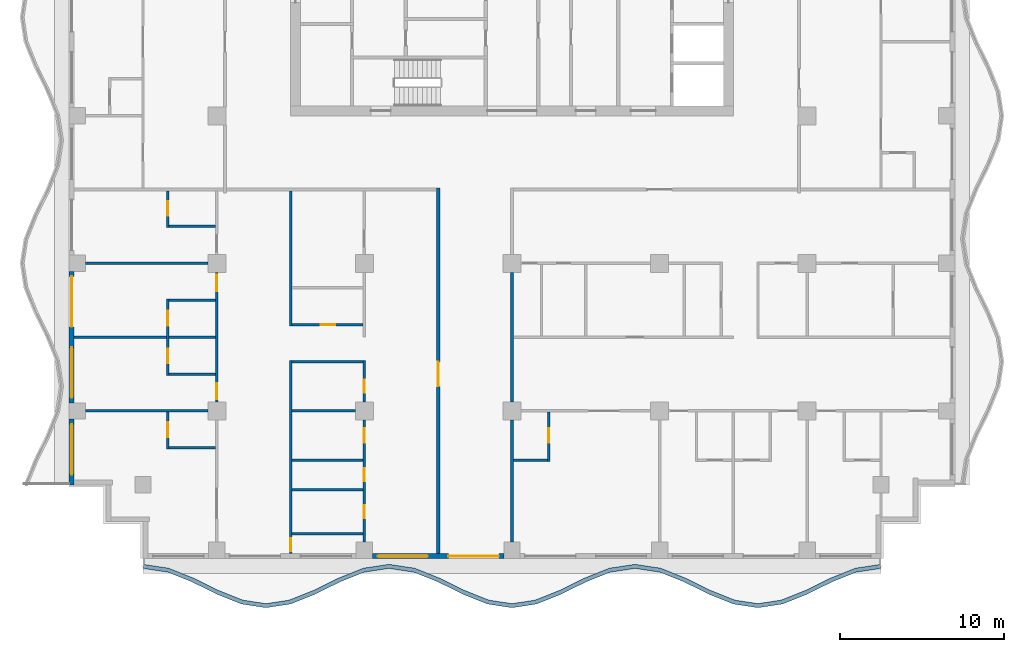
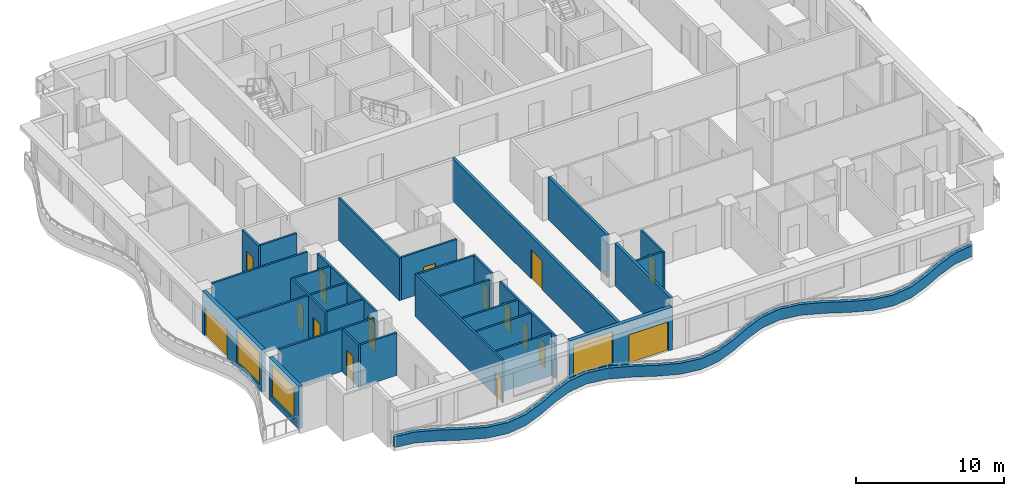
# One storey, part 2 of 12: 31 walls, 16 doors, 3 windows, 19 openings.
"""IFC4 building model written with IfcOpenShell, lengths in metres."""

from ifc_helpers import new_model, si_unit, direction, frame, frame_2d, origin, place, context, subcontext, project, spatial, polyline, rectangle, outline, extrude, material, layer, layer_set, type_object, element, fill, save


model = new_model("IFC4")

# Units and contexts
model_context = context("Model", 3, precision=1e-05, world=origin(), true_north=direction((0.0, 1.0)))
body_context = subcontext(model_context, "Body", "Model", "MODEL_VIEW")
ifc_project = project(units=[si_unit("LENGTHUNIT", "METRE"), si_unit("AREAUNIT", "SQUARE_METRE"), si_unit("VOLUMEUNIT", "CUBIC_METRE"), si_unit("PLANEANGLEUNIT", "RADIAN"), si_unit("MASSUNIT", "GRAM", prefix="KILO")], contexts=[model_context])

# Site, building, storey
site_placement = place(None, origin())
site = spatial("IfcSite", under=ifc_project, at=site_placement, CompositionType="ELEMENT")
building_placement = place(site_placement, origin())
building = spatial("IfcBuilding", under=site, at=building_placement, Name="Orbiselva Terraces", CompositionType="ELEMENT")
storey_placement = place(building_placement, frame((0.0, 0.0, 203.4)))
storey = spatial("IfcBuildingStorey", under=building, at=storey_placement, Name="L51", CompositionType="ELEMENT", Elevation=203.4)

# Wall
ifc_material_1 = material(Name="Concrete C40/50", Category="concrete")
ifc_layer_1 = layer(ifc_material_1, 0.25)
ifc_layer_set_1 = layer_set([ifc_layer_1], Name="Concrete C40/50")
wall_type_1 = type_object("IfcWallType", Name="ENV-PLANTER-250x900", PredefinedType="USERDEFINED", material=ifc_layer_set_1)
wall_1_placement = place(storey_placement, origin())
element("IfcWall", 1, at=wall_1_placement, inside=storey, type_object=wall_type_1, Name="Balcony planter L51 S", ObjectType="PLANTER", PredefinedType="USERDEFINED", context=body_context, shape_type="SweptSolid", body=[
    extrude(outline(polyline([(-22.5, -23.1), (-21.0, -23.32918), (-19.5, -23.92918), (-18.0, -24.67082), (-16.5, -25.27082), (-15.0, -25.5), (-13.5, -25.27082), (-12.0, -24.67082), (-10.5, -23.92918), (-9.0, -23.32918), (-7.5, -23.1), (-6.0, -23.32918), (-4.5, -23.92918), (-3.0, -24.67082), (-1.5, -25.27082), (0.0, -25.5), (1.5, -25.27082), (3.0, -24.67082), (4.5, -23.92918), (6.0, -23.32918), (7.5, -23.1), (9.0, -23.32918), (10.5, -23.92918), (12.0, -24.67082), (13.5, -25.27082), (15.0, -25.5), (16.5, -25.27082), (18.0, -24.67082), (19.5, -23.92918), (21.0, -23.32918), (22.5, -23.1), (22.462242, -22.852868), (20.933834, -23.086388), (19.398017, -23.700715), (17.898017, -24.442355), (16.433834, -25.028028), (15.0, -25.247099), (13.566166, -25.028028), (12.101983, -24.442355), (10.601983, -23.700715), (9.066166, -23.086388), (7.5, -22.847099), (5.933834, -23.086388), (4.398017, -23.700715), (2.898017, -24.442355), (1.433834, -25.028028), (0.0, -25.247099), (-1.433834, -25.028028), (-2.898017, -24.442355), (-4.398017, -23.700715), (-5.933834, -23.086388), (-7.5, -22.847099), (-9.066166, -23.086388), (-10.601983, -23.700715), (-12.101983, -24.442355), (-13.566166, -25.028028), (-15.0, -25.247099), (-16.433834, -25.028028), (-17.898017, -24.442355), (-19.398017, -23.700715), (-20.933834, -23.086388), (-22.462242, -22.852868), (-22.5, -23.1)])), origin(), (0.0, 0.0, 1.0), 0.9),
])

# Wall, openings, door, window
ifc_material_2 = material(Name="Terracotta cladding on masonry backing", Category="masonry")
ifc_layer_2 = layer(ifc_material_2, 0.3)
ifc_layer_set_2 = layer_set([ifc_layer_2], Name="Terracotta cladding on masonry backing")
wall_type_2 = type_object("IfcWallType", Name="ENV-WALL-TERRACOTTA-300", PredefinedType="SOLIDWALL", material=ifc_layer_set_2)
wall_2_placement = place(storey_placement, frame((-0.5, -22.35, 0.0), z_axis=(0.0, 0.0, 1.0), x_axis=(-1.0, 0.0, 0.0)))
wall_2 = element("IfcWall", 2, at=wall_2_placement, inside=storey, type_object=wall_type_2, Name="Facade wall L51 S", PredefinedType="SOLIDWALL", context=body_context, shape_type="SweptSolid", body=[
    extrude(rectangle(XDim=8.0, YDim=0.3, at=frame_2d((4.0, 0.0))), origin(), (0.0, 0.0, 1.0), 3.5),
])
opening_1_placement = place(wall_2_placement, frame((4.625, 0.0, 0.45)))
opening_1 = element("IfcOpeningElement", 3, at=opening_1_placement, cuts=wall_2, Name="Opening WN15", PredefinedType="OPENING", context=body_context, shape_type="SweptSolid", body=[
    extrude(rectangle(XDim=3.075, YDim=2.65, at=frame_2d((1.5375, 1.325))), frame((0.0, 0.16, 0.0), z_axis=(0.0, -1.0, 0.0), x_axis=(1.0, 0.0, 0.0)), (0.0, 0.0, 1.0), 0.32),
])
opening_2_placement = place(wall_2_placement, frame((0.3, 0.0, 0.0)))
opening_2 = element("IfcOpeningElement", 4, at=opening_2_placement, cuts=wall_2, Name="Opening Z4-B-E22", PredefinedType="OPENING", context=body_context, shape_type="SweptSolid", body=[
    extrude(rectangle(XDim=3.075, YDim=2.4, at=frame_2d((1.5375, 1.2))), frame((0.0, 0.16, 0.0), z_axis=(0.0, -1.0, 0.0), x_axis=(1.0, 0.0, 0.0)), (0.0, 0.0, 1.0), 0.32),
])
ifc_material_3 = material(Name="Clear low-e glazing in aluminium frame", Category="aluminium")
door_type_1 = type_object("IfcDoorType", Name="BALCONY DOOR 3075 X 2400", OperationType="DOUBLE_DOOR_SLIDING", PredefinedType="DOOR", material=ifc_material_3)
door_1_placement = place(opening_2_placement, origin())
door_1 = element("IfcDoor", 5, at=door_1_placement, inside=storey, type_object=door_type_1, Name="Z4-B-E22", OperationType="SINGLE_SWING_LEFT", OverallHeight=2.4, OverallWidth=3.075, PredefinedType="DOOR", context=body_context, shape_type="SweptSolid", body=[
    extrude(rectangle(XDim=3.075, YDim=2.4, at=frame_2d((1.5375, 1.2))), frame((0.0, 0.025, 0.0), z_axis=(0.0, -1.0, 0.0), x_axis=(1.0, 0.0, 0.0)), (0.0, 0.0, 1.0), 0.05),
])
fill(opening_2, door_1)
window_type = type_object("IfcWindowType", Name="WINDOW 3075 X 2650 S450", PartitioningType="TRIPLE_PANEL_VERTICAL", PredefinedType="WINDOW", material=ifc_material_3)
window_1_placement = place(opening_1_placement, origin())
window_1 = element("IfcWindow", 6, at=window_1_placement, inside=storey, type_object=window_type, Name="Window L51 S", OverallHeight=2.65, OverallWidth=3.075, PartitioningType="SINGLE_PANEL", PredefinedType="WINDOW", context=body_context, shape_type="SweptSolid", body=[
    extrude(rectangle(XDim=3.075, YDim=2.65, at=frame_2d((1.5375, 1.325))), frame((0.0, 0.03, 0.0), z_axis=(0.0, -1.0, 0.0), x_axis=(1.0, 0.0, 0.0)), (0.0, 0.0, 1.0), 0.06),
])
fill(opening_1, window_1)

wall_3_placement = place(storey_placement, frame((-26.85, -13.0, 0.0), z_axis=(0.0, 0.0, 1.0), x_axis=(0.0, 1.0, 0.0)))
wall_3 = element("IfcWall", 7, at=wall_3_placement, inside=storey, type_object=wall_type_2, Name="Facade wall L51 W", PredefinedType="SOLIDWALL", context=body_context, shape_type="SweptSolid", body=[
    extrude(rectangle(XDim=8.0, YDim=0.3, at=frame_2d((4.0, 0.0))), origin(), (0.0, 0.0, 1.0), 3.5),
])
opening_3_placement = place(wall_3_placement, frame((4.625, 0.0, 0.0)))
opening_3 = element("IfcOpeningElement", 8, at=opening_3_placement, cuts=wall_3, Name="Opening Z4-B-E21", PredefinedType="OPENING", context=body_context, shape_type="SweptSolid", body=[
    extrude(rectangle(XDim=3.075, YDim=2.4, at=frame_2d((1.5375, 1.2))), frame((0.0, 0.16, 0.0), z_axis=(0.0, -1.0, 0.0), x_axis=(1.0, 0.0, 0.0)), (0.0, 0.0, 1.0), 0.32),
])
opening_4_placement = place(wall_3_placement, frame((0.3, 0.0, 0.45)))
opening_4 = element("IfcOpeningElement", 9, at=opening_4_placement, cuts=wall_3, Name="Opening WN15", PredefinedType="OPENING", context=body_context, shape_type="SweptSolid", body=[
    extrude(rectangle(XDim=3.075, YDim=2.65, at=frame_2d((1.5375, 1.325))), frame((0.0, 0.16, 0.0), z_axis=(0.0, -1.0, 0.0), x_axis=(1.0, 0.0, 0.0)), (0.0, 0.0, 1.0), 0.32),
])
door_2_placement = place(opening_3_placement, origin())
door_2 = element("IfcDoor", 10, at=door_2_placement, inside=storey, type_object=door_type_1, Name="Z4-B-E21", OperationType="SINGLE_SWING_LEFT", OverallHeight=2.4, OverallWidth=3.075, PredefinedType="DOOR", context=body_context, shape_type="SweptSolid", body=[
    extrude(rectangle(XDim=3.075, YDim=2.4, at=frame_2d((1.5375, 1.2))), frame((0.0, 0.025, 0.0), z_axis=(0.0, -1.0, 0.0), x_axis=(1.0, 0.0, 0.0)), (0.0, 0.0, 1.0), 0.05),
])
fill(opening_3, door_2)
window_2_placement = place(opening_4_placement, origin())
window_2 = element("IfcWindow", 11, at=window_2_placement, inside=storey, type_object=window_type, Name="Window L51 W", OverallHeight=2.65, OverallWidth=3.075, PartitioningType="SINGLE_PANEL", PredefinedType="WINDOW", context=body_context, shape_type="SweptSolid", body=[
    extrude(rectangle(XDim=3.075, YDim=2.65, at=frame_2d((1.5375, 1.325))), frame((0.0, 0.03, 0.0), z_axis=(0.0, -1.0, 0.0), x_axis=(1.0, 0.0, 0.0)), (0.0, 0.0, 1.0), 0.06),
])
fill(opening_4, window_2)

# Wall, opening, window
wall_4_placement = place(storey_placement, frame((-26.85, -18.0, 0.0), z_axis=(0.0, 0.0, 1.0), x_axis=(0.0, 1.0, 0.0)))
wall_4 = element("IfcWall", 12, at=wall_4_placement, inside=storey, type_object=wall_type_2, Name="Facade wall L51 W", PredefinedType="SOLIDWALL", context=body_context, shape_type="SweptSolid", body=[
    extrude(rectangle(XDim=4.0, YDim=0.3, at=frame_2d((2.0, 0.0))), origin(), (0.0, 0.0, 1.0), 3.5),
])
opening_5_placement = place(wall_4_placement, frame((0.625, 0.0, 0.45)))
opening_5 = element("IfcOpeningElement", 13, at=opening_5_placement, cuts=wall_4, Name="Opening WN15", PredefinedType="OPENING", context=body_context, shape_type="SweptSolid", body=[
    extrude(rectangle(XDim=3.075, YDim=2.65, at=frame_2d((1.5375, 1.325))), frame((0.0, 0.16, 0.0), z_axis=(0.0, -1.0, 0.0), x_axis=(1.0, 0.0, 0.0)), (0.0, 0.0, 1.0), 0.32),
])
window_3_placement = place(opening_5_placement, origin())
window_3 = element("IfcWindow", 14, at=window_3_placement, inside=storey, type_object=window_type, Name="Window L51 W", OverallHeight=2.65, OverallWidth=3.075, PartitioningType="SINGLE_PANEL", PredefinedType="WINDOW", context=body_context, shape_type="SweptSolid", body=[
    extrude(rectangle(XDim=3.075, YDim=2.65, at=frame_2d((1.5375, 1.325))), frame((0.0, 0.03, 0.0), z_axis=(0.0, -1.0, 0.0), x_axis=(1.0, 0.0, 0.0)), (0.0, 0.0, 1.0), 0.06),
])
fill(opening_5, window_3)

# Wall, opening, door
ifc_material_4 = material(Name="Plasterboard on steel stud partition", Category="steel")
ifc_layer_3 = layer(ifc_material_4, 0.2)
ifc_layer_set_3 = layer_set([ifc_layer_3], Name="Plasterboard on steel stud partition")
wall_type_3 = type_object("IfcWallType", Name="UNIT-ENTRANCE-WALL-200", PredefinedType="PARTITIONING", material=ifc_layer_set_3)
wall_5_placement = place(storey_placement, frame((-4.5, -22.2, 0.0), z_axis=(0.0, 0.0, 1.0), x_axis=(0.0, 1.0, 0.0)))
wall_5 = element("IfcWall", 15, at=wall_5_placement, inside=storey, type_object=wall_type_3, Name="PARTITION L51-061", PredefinedType="PARTITIONING", context=body_context, shape_type="SweptSolid", body=[
    extrude(rectangle(XDim=22.3, YDim=0.2, at=frame_2d((11.15, 0.0))), origin(), (0.0, 0.0, 1.0), 3.5),
])
opening_6_placement = place(wall_5_placement, frame((10.2, 0.0, 0.0)))
opening_6 = element("IfcOpeningElement", 16, at=opening_6_placement, cuts=wall_5, Name="Opening Z4-B-14", PredefinedType="OPENING", context=body_context, shape_type="SweptSolid", body=[
    extrude(rectangle(XDim=1.5, YDim=2.4, at=frame_2d((0.75, 1.2))), frame((0.0, 0.11, 0.0), z_axis=(0.0, -1.0, 0.0), x_axis=(1.0, 0.0, 0.0)), (0.0, 0.0, 1.0), 0.22),
])
ifc_material_5 = material(Name="Painted timber door leaf", Category="wood")
door_type_2 = type_object("IfcDoorType", Name="ENTRANCE DOUBLE DOOR 1500", OperationType="NOTDEFINED", PredefinedType="DOOR", material=ifc_material_5)
door_3_placement = place(opening_6_placement, origin())
door_3 = element("IfcDoor", 17, at=door_3_placement, inside=storey, type_object=door_type_2, Name="Z4-B-14", OperationType="DOUBLE_DOOR_SINGLE_SWING", OverallHeight=2.4, OverallWidth=1.5, PredefinedType="DOOR", context=body_context, shape_type="SweptSolid", body=[
    extrude(rectangle(XDim=1.5, YDim=2.4, at=frame_2d((0.75, 1.2))), frame((0.0, 0.025, 0.0), z_axis=(0.0, -1.0, 0.0), x_axis=(1.0, 0.0, 0.0)), (0.0, 0.0, 1.0), 0.05),
])
fill(opening_6, door_3)

# Walls
wall_6_placement = place(storey_placement, frame((0.0, -21.5, 0.0), z_axis=(0.0, 0.0, 1.0), x_axis=(0.0, 1.0, 0.0)))
element("IfcWall", 18, at=wall_6_placement, inside=storey, type_object=wall_type_3, Name="PARTITION L51-062", PredefinedType="PARTITIONING", context=body_context, shape_type="SweptSolid", body=[
    extrude(rectangle(XDim=7.45, YDim=0.2, at=frame_2d((3.725, 0.0))), origin(), (0.0, 0.0, 1.0), 3.5),
])
wall_7_placement = place(storey_placement, frame((0.0, -12.95, 0.0), z_axis=(0.0, 0.0, 1.0), x_axis=(0.0, 1.0, 0.0)))
element("IfcWall", 19, at=wall_7_placement, inside=storey, type_object=wall_type_3, Name="PARTITION L51-063", PredefinedType="PARTITIONING", context=body_context, shape_type="SweptSolid", body=[
    extrude(rectangle(XDim=7.9, YDim=0.2, at=frame_2d((3.95, 0.0))), origin(), (0.0, 0.0, 1.0), 3.5),
])
ifc_layer_4 = layer(ifc_material_4, 0.15)
ifc_layer_set_4 = layer_set([ifc_layer_4], Name="Plasterboard on steel stud partition")
wall_type_4 = type_object("IfcWallType", Name="UNIT-PARTITION-150", PredefinedType="PARTITIONING", material=ifc_layer_set_4)
for number, where, z_axis, x_axis, name in (
    (20, (-13.425, -21.0, 0.0), (0.0, 0.0, 1.0), (1.0, 0.0, 0.0), "PARTITION L51-001"),
    (21, (-13.425, -18.3, 0.0), (0.0, 0.0, 1.0), (1.0, 0.0, 0.0), "PARTITION L51-002"),
    (22, (-13.425, -16.5, 0.0), (0.0, 0.0, 1.0), (1.0, 0.0, 0.0), "PARTITION L51-003"),
):
    element("IfcWall", number, at=place(storey_placement, frame(where, z_axis=z_axis, x_axis=x_axis)), inside=storey, type_object=wall_type_4, Name=name, PredefinedType="PARTITIONING", context=body_context, shape_type="SweptSolid", body=[
        extrude(rectangle(XDim=4.35, YDim=0.15, at=frame_2d((2.175, 0.0))), origin(), (0.0, 0.0, 1.0), 3.5),
    ])
wall_8_placement = place(storey_placement, frame((0.1, -16.5, 0.0), z_axis=(0.0, 0.0, 1.0), x_axis=(1.0, 0.0, 0.0)))
element("IfcWall", 23, at=wall_8_placement, inside=storey, type_object=wall_type_4, Name="PARTITION L51-004", PredefinedType="PARTITIONING", context=body_context, shape_type="SweptSolid", body=[
    extrude(rectangle(XDim=2.075, YDim=0.15, at=frame_2d((1.0375, 0.0))), origin(), (0.0, 0.0, 1.0), 3.5),
])
wall_9_placement = place(storey_placement, frame((-20.925, -15.75, 0.0), z_axis=(0.0, 0.0, 1.0), x_axis=(1.0, 0.0, 0.0)))
element("IfcWall", 24, at=wall_9_placement, inside=storey, type_object=wall_type_4, Name="PARTITION L51-008", PredefinedType="PARTITIONING", context=body_context, shape_type="SweptSolid", body=[
    extrude(rectangle(XDim=2.85, YDim=0.15, at=frame_2d((1.425, 0.0))), origin(), (0.0, 0.0, 1.0), 3.5),
])
wall_10_placement = place(storey_placement, frame((-26.0, -13.5, 0.0), z_axis=(0.0, 0.0, 1.0), x_axis=(1.0, 0.0, 0.0)))
element("IfcWall", 25, at=wall_10_placement, inside=storey, type_object=wall_type_4, Name="PARTITION L51-009", PredefinedType="PARTITIONING", context=body_context, shape_type="SweptSolid", body=[
    extrude(rectangle(XDim=7.45, YDim=0.15, at=frame_2d((3.725, 0.0))), origin(), (0.0, 0.0, 1.0), 3.5),
])
wall_11_placement = place(storey_placement, frame((-13.425, -13.5, 0.0), z_axis=(0.0, 0.0, 1.0), x_axis=(1.0, 0.0, 0.0)))
element("IfcWall", 26, at=wall_11_placement, inside=storey, type_object=wall_type_4, Name="PARTITION L51-010", PredefinedType="PARTITIONING", context=body_context, shape_type="SweptSolid", body=[
    extrude(rectangle(XDim=3.875, YDim=0.15, at=frame_2d((1.9375, 0.0))), origin(), (0.0, 0.0, 1.0), 3.5),
])
wall_12_placement = place(storey_placement, frame((-20.925, -11.25, 0.0), z_axis=(0.0, 0.0, 1.0), x_axis=(1.0, 0.0, 0.0)))
element("IfcWall", 27, at=wall_12_placement, inside=storey, type_object=wall_type_4, Name="PARTITION L51-014", PredefinedType="PARTITIONING", context=body_context, shape_type="SweptSolid", body=[
    extrude(rectangle(XDim=2.85, YDim=0.15, at=frame_2d((1.425, 0.0))), origin(), (0.0, 0.0, 1.0), 3.5),
])
wall_13_placement = place(storey_placement, frame((-13.425, -10.5, 0.0), z_axis=(0.0, 0.0, 1.0), x_axis=(1.0, 0.0, 0.0)))
element("IfcWall", 28, at=wall_13_placement, inside=storey, type_object=wall_type_4, Name="PARTITION L51-015", PredefinedType="PARTITIONING", context=body_context, shape_type="SweptSolid", body=[
    extrude(rectangle(XDim=4.35, YDim=0.15, at=frame_2d((2.175, 0.0))), origin(), (0.0, 0.0, 1.0), 3.5),
])
wall_14_placement = place(storey_placement, frame((-26.7, -9.0, 0.0), z_axis=(0.0, 0.0, 1.0), x_axis=(1.0, 0.0, 0.0)))
element("IfcWall", 29, at=wall_14_placement, inside=storey, type_object=wall_type_4, Name="PARTITION L51-016", PredefinedType="PARTITIONING", context=body_context, shape_type="SweptSolid", body=[
    extrude(rectangle(XDim=5.625, YDim=0.15, at=frame_2d((2.8125, 0.0))), origin(), (0.0, 0.0, 1.0), 3.5),
])
wall_15_placement = place(storey_placement, frame((-20.925, -9.0, 0.0), z_axis=(0.0, 0.0, 1.0), x_axis=(1.0, 0.0, 0.0)))
element("IfcWall", 30, at=wall_15_placement, inside=storey, type_object=wall_type_4, Name="PARTITION L51-017", PredefinedType="PARTITIONING", context=body_context, shape_type="SweptSolid", body=[
    extrude(rectangle(XDim=2.85, YDim=0.15, at=frame_2d((1.425, 0.0))), origin(), (0.0, 0.0, 1.0), 3.5),
])

# Wall, opening, door
wall_16_placement = place(storey_placement, frame((-13.425, -8.25, 0.0), z_axis=(0.0, 0.0, 1.0), x_axis=(1.0, 0.0, 0.0)))
wall_16 = element("IfcWall", 31, at=wall_16_placement, inside=storey, type_object=wall_type_4, Name="PARTITION L51-020", PredefinedType="PARTITIONING", context=body_context, shape_type="SweptSolid", body=[
    extrude(rectangle(XDim=4.35, YDim=0.15, at=frame_2d((2.175, 0.0))), origin(), (0.0, 0.0, 1.0), 3.5),
])
opening_7_placement = place(wall_16_placement, frame((1.75, 0.0, 0.0)))
opening_7 = element("IfcOpeningElement", 32, at=opening_7_placement, cuts=wall_16, Name="Opening Z4-B-16", PredefinedType="OPENING", context=body_context, shape_type="SweptSolid", body=[
    extrude(rectangle(XDim=0.9, YDim=2.1, at=frame_2d((0.45, 1.05))), frame((0.0, 0.085, 0.0), z_axis=(0.0, -1.0, 0.0), x_axis=(1.0, 0.0, 0.0)), (0.0, 0.0, 1.0), 0.17),
])
door_type_3 = type_object("IfcDoorType", Name="BATH DOOR 900", OperationType="NOTDEFINED", PredefinedType="DOOR", material=ifc_material_5)
door_4_placement = place(opening_7_placement, origin())
door_4 = element("IfcDoor", 33, at=door_4_placement, inside=storey, type_object=door_type_3, Name="Z4-B-16", OperationType="SINGLE_SWING_RIGHT", OverallHeight=2.1, OverallWidth=0.9, PredefinedType="DOOR", context=body_context, shape_type="SweptSolid", body=[
    extrude(rectangle(XDim=0.9, YDim=2.1, at=frame_2d((0.45, 1.05))), frame((0.0, 0.025, 0.0), z_axis=(0.0, -1.0, 0.0), x_axis=(1.0, 0.0, 0.0)), (0.0, 0.0, 1.0), 0.05),
])
fill(opening_7, door_4)

# Walls
wall_17_placement = place(storey_placement, frame((-20.925, -6.75, 0.0), z_axis=(0.0, 0.0, 1.0), x_axis=(1.0, 0.0, 0.0)))
element("IfcWall", 34, at=wall_17_placement, inside=storey, type_object=wall_type_4, Name="PARTITION L51-021", PredefinedType="PARTITIONING", context=body_context, shape_type="SweptSolid", body=[
    extrude(rectangle(XDim=2.85, YDim=0.15, at=frame_2d((1.425, 0.0))), origin(), (0.0, 0.0, 1.0), 3.5),
])
wall_18_placement = place(storey_placement, frame((-26.0, -4.5, 0.0), z_axis=(0.0, 0.0, 1.0), x_axis=(1.0, 0.0, 0.0)))
element("IfcWall", 35, at=wall_18_placement, inside=storey, type_object=wall_type_4, Name="PARTITION L51-023", PredefinedType="PARTITIONING", context=body_context, shape_type="SweptSolid", body=[
    extrude(rectangle(XDim=7.45, YDim=0.15, at=frame_2d((3.725, 0.0))), origin(), (0.0, 0.0, 1.0), 3.5),
])
wall_19_placement = place(storey_placement, frame((-20.925, -2.25, 0.0), z_axis=(0.0, 0.0, 1.0), x_axis=(1.0, 0.0, 0.0)))
element("IfcWall", 36, at=wall_19_placement, inside=storey, type_object=wall_type_4, Name="PARTITION L51-028", PredefinedType="PARTITIONING", context=body_context, shape_type="SweptSolid", body=[
    extrude(rectangle(XDim=2.85, YDim=0.15, at=frame_2d((1.425, 0.0))), origin(), (0.0, 0.0, 1.0), 3.5),
])

# Wall, opening, door
wall_20_placement = place(storey_placement, frame((-21.0, -13.575, 0.0), z_axis=(0.0, 0.0, 1.0), x_axis=(0.0, -1.0, 0.0)))
wall_20 = element("IfcWall", 37, at=wall_20_placement, inside=storey, type_object=wall_type_4, Name="PARTITION L51-046", PredefinedType="PARTITIONING", context=body_context, shape_type="SweptSolid", body=[
    extrude(rectangle(XDim=2.25, YDim=0.15, at=frame_2d((1.125, 0.0))), origin(), (0.0, 0.0, 1.0), 3.5),
])
opening_8_placement = place(wall_20_placement, frame((0.625, 0.0, 0.0)))
opening_8 = element("IfcOpeningElement", 38, at=opening_8_placement, cuts=wall_20, Name="Opening Z4-B-29", PredefinedType="OPENING", context=body_context, shape_type="SweptSolid", body=[
    extrude(rectangle(XDim=0.9, YDim=2.1, at=frame_2d((0.45, 1.05))), frame((0.0, 0.085, 0.0), z_axis=(0.0, -1.0, 0.0), x_axis=(1.0, 0.0, 0.0)), (0.0, 0.0, 1.0), 0.17),
])
door_5_placement = place(opening_8_placement, origin())
door_5 = element("IfcDoor", 39, at=door_5_placement, inside=storey, type_object=door_type_3, Name="Z4-B-29", OperationType="SINGLE_SWING_LEFT", OverallHeight=2.1, OverallWidth=0.9, PredefinedType="DOOR", context=body_context, shape_type="SweptSolid", body=[
    extrude(rectangle(XDim=0.9, YDim=2.1, at=frame_2d((0.45, 1.05))), frame((0.0, 0.025, 0.0), z_axis=(0.0, -1.0, 0.0), x_axis=(1.0, 0.0, 0.0)), (0.0, 0.0, 1.0), 0.05),
])
fill(opening_8, door_5)

# Wall, openings, doors
wall_21_placement = place(storey_placement, frame((-21.0, -6.675, 0.0), z_axis=(0.0, 0.0, 1.0), x_axis=(0.0, -1.0, 0.0)))
wall_21 = element("IfcWall", 40, at=wall_21_placement, inside=storey, type_object=wall_type_4, Name="PARTITION L51-047", PredefinedType="PARTITIONING", context=body_context, shape_type="SweptSolid", body=[
    extrude(rectangle(XDim=4.65, YDim=0.15, at=frame_2d((2.325, 0.0))), origin(), (0.0, 0.0, 1.0), 3.5),
])
opening_9_placement = place(wall_21_placement, frame((0.725, 0.0, 0.0)))
opening_9 = element("IfcOpeningElement", 41, at=opening_9_placement, cuts=wall_21, Name="Opening Z4-B-25", PredefinedType="OPENING", context=body_context, shape_type="SweptSolid", body=[
    extrude(rectangle(XDim=0.9, YDim=2.1, at=frame_2d((0.45, 1.05))), frame((0.0, 0.085, 0.0), z_axis=(0.0, -1.0, 0.0), x_axis=(1.0, 0.0, 0.0)), (0.0, 0.0, 1.0), 0.17),
])
opening_10_placement = place(wall_21_placement, frame((3.025, 0.0, 0.0)))
opening_10 = element("IfcOpeningElement", 42, at=opening_10_placement, cuts=wall_21, Name="Opening Z4-B-27", PredefinedType="OPENING", context=body_context, shape_type="SweptSolid", body=[
    extrude(rectangle(XDim=0.9, YDim=2.1, at=frame_2d((0.45, 1.05))), frame((0.0, 0.085, 0.0), z_axis=(0.0, -1.0, 0.0), x_axis=(1.0, 0.0, 0.0)), (0.0, 0.0, 1.0), 0.17),
])
door_6_placement = place(opening_9_placement, origin())
door_6 = element("IfcDoor", 43, at=door_6_placement, inside=storey, type_object=door_type_3, Name="Z4-B-25", OperationType="SINGLE_SWING_LEFT", OverallHeight=2.1, OverallWidth=0.9, PredefinedType="DOOR", context=body_context, shape_type="SweptSolid", body=[
    extrude(rectangle(XDim=0.9, YDim=2.1, at=frame_2d((0.45, 1.05))), frame((0.0, 0.025, 0.0), z_axis=(0.0, -1.0, 0.0), x_axis=(1.0, 0.0, 0.0)), (0.0, 0.0, 1.0), 0.05),
])
fill(opening_9, door_6)
door_7_placement = place(opening_10_placement, origin())
door_7 = element("IfcDoor", 44, at=door_7_placement, inside=storey, type_object=door_type_3, Name="Z4-B-27", OperationType="SINGLE_SWING_RIGHT", OverallHeight=2.1, OverallWidth=0.9, PredefinedType="DOOR", context=body_context, shape_type="SweptSolid", body=[
    extrude(rectangle(XDim=0.9, YDim=2.1, at=frame_2d((0.45, 1.05))), frame((0.0, 0.025, 0.0), z_axis=(0.0, -1.0, 0.0), x_axis=(1.0, 0.0, 0.0)), (0.0, 0.0, 1.0), 0.05),
])
fill(opening_10, door_7)

# Wall, opening, door
wall_22_placement = place(storey_placement, frame((-21.0, -0.1, 0.0), z_axis=(0.0, 0.0, 1.0), x_axis=(0.0, -1.0, 0.0)))
wall_22 = element("IfcWall", 45, at=wall_22_placement, inside=storey, type_object=wall_type_4, Name="PARTITION L51-048", PredefinedType="PARTITIONING", context=body_context, shape_type="SweptSolid", body=[
    extrude(rectangle(XDim=2.225, YDim=0.15, at=frame_2d((1.1125, 0.0))), origin(), (0.0, 0.0, 1.0), 3.5),
])
opening_11_placement = place(wall_22_placement, frame((0.6, 0.0, 0.0)))
opening_11 = element("IfcOpeningElement", 46, at=opening_11_placement, cuts=wall_22, Name="Opening Z4-B-23", PredefinedType="OPENING", context=body_context, shape_type="SweptSolid", body=[
    extrude(rectangle(XDim=0.9, YDim=2.1, at=frame_2d((0.45, 1.05))), frame((0.0, 0.085, 0.0), z_axis=(0.0, -1.0, 0.0), x_axis=(1.0, 0.0, 0.0)), (0.0, 0.0, 1.0), 0.17),
])
door_8_placement = place(opening_11_placement, origin())
door_8 = element("IfcDoor", 47, at=door_8_placement, inside=storey, type_object=door_type_3, Name="Z4-B-23", OperationType="SINGLE_SWING_LEFT", OverallHeight=2.1, OverallWidth=0.9, PredefinedType="DOOR", context=body_context, shape_type="SweptSolid", body=[
    extrude(rectangle(XDim=0.9, YDim=2.1, at=frame_2d((0.45, 1.05))), frame((0.0, 0.025, 0.0), z_axis=(0.0, -1.0, 0.0), x_axis=(1.0, 0.0, 0.0)), (0.0, 0.0, 1.0), 0.05),
])
fill(opening_11, door_8)

# Wall, openings, doors
wall_23_placement = place(storey_placement, frame((-18.0, -12.95, 0.0), z_axis=(0.0, 0.0, 1.0), x_axis=(0.0, 1.0, 0.0)))
wall_23 = element("IfcWall", 48, at=wall_23_placement, inside=storey, type_object=wall_type_4, Name="PARTITION L51-050", PredefinedType="PARTITIONING", context=body_context, shape_type="SweptSolid", body=[
    extrude(rectangle(XDim=7.9, YDim=0.15, at=frame_2d((3.95, 0.0))), origin(), (0.0, 0.0, 1.0), 3.5),
])
opening_12_placement = place(wall_23_placement, frame((6.75, 0.0, 0.0)))
opening_12 = element("IfcOpeningElement", 49, at=opening_12_placement, cuts=wall_23, Name="Opening Z4-B-24", PredefinedType="OPENING", context=body_context, shape_type="SweptSolid", body=[
    extrude(rectangle(XDim=1.0, YDim=2.4, at=frame_2d((0.5, 1.2))), frame((0.0, 0.085, 0.0), z_axis=(0.0, -1.0, 0.0), x_axis=(1.0, 0.0, 0.0)), (0.0, 0.0, 1.0), 0.17),
])
opening_13_placement = place(wall_23_placement, frame((0.15, 0.0, 0.0)))
opening_13 = element("IfcOpeningElement", 50, at=opening_13_placement, cuts=wall_23, Name="Opening Z4-B-26", PredefinedType="OPENING", context=body_context, shape_type="SweptSolid", body=[
    extrude(rectangle(XDim=1.0, YDim=2.4, at=frame_2d((0.5, 1.2))), frame((0.0, 0.085, 0.0), z_axis=(0.0, -1.0, 0.0), x_axis=(1.0, 0.0, 0.0)), (0.0, 0.0, 1.0), 0.17),
])
door_type_4 = type_object("IfcDoorType", Name="ROOM DOOR 1000", OperationType="NOTDEFINED", PredefinedType="DOOR", material=ifc_material_5)
door_9_placement = place(opening_12_placement, origin())
door_9 = element("IfcDoor", 51, at=door_9_placement, inside=storey, type_object=door_type_4, Name="Z4-B-24", OperationType="SINGLE_SWING_RIGHT", OverallHeight=2.4, OverallWidth=1.0, PredefinedType="DOOR", context=body_context, shape_type="SweptSolid", body=[
    extrude(rectangle(XDim=1.0, YDim=2.4, at=frame_2d((0.5, 1.2))), frame((0.0, 0.025, 0.0), z_axis=(0.0, -1.0, 0.0), x_axis=(1.0, 0.0, 0.0)), (0.0, 0.0, 1.0), 0.05),
])
fill(opening_12, door_9)
door_10_placement = place(opening_13_placement, origin())
door_10 = element("IfcDoor", 52, at=door_10_placement, inside=storey, type_object=door_type_4, Name="Z4-B-26", OperationType="SINGLE_SWING_LEFT", OverallHeight=2.4, OverallWidth=1.0, PredefinedType="DOOR", context=body_context, shape_type="SweptSolid", body=[
    extrude(rectangle(XDim=1.0, YDim=2.4, at=frame_2d((0.5, 1.2))), frame((0.0, 0.025, 0.0), z_axis=(0.0, -1.0, 0.0), x_axis=(1.0, 0.0, 0.0)), (0.0, 0.0, 1.0), 0.05),
])
fill(opening_13, door_10)

# Wall, opening, door
wall_24_placement = place(storey_placement, frame((-13.5, -10.425, 0.0), z_axis=(0.0, 0.0, 1.0), x_axis=(0.0, -1.0, 0.0)))
wall_24 = element("IfcWall", 53, at=wall_24_placement, inside=storey, type_object=wall_type_4, Name="PARTITION L51-055", PredefinedType="PARTITIONING", context=body_context, shape_type="SweptSolid", body=[
    extrude(rectangle(XDim=11.775, YDim=0.15, at=frame_2d((5.8875, 0.0))), origin(), (0.0, 0.0, 1.0), 3.5),
])
opening_14_placement = place(wall_24_placement, frame((10.825, 0.0, 0.0)))
opening_14 = element("IfcOpeningElement", 54, at=opening_14_placement, cuts=wall_24, Name="Opening Z4-B-21", PredefinedType="OPENING", context=body_context, shape_type="SweptSolid", body=[
    extrude(rectangle(XDim=0.8, YDim=2.0, at=frame_2d((0.4, 1.0))), frame((0.0, 0.085, 0.0), z_axis=(0.0, -1.0, 0.0), x_axis=(1.0, 0.0, 0.0)), (0.0, 0.0, 1.0), 0.17),
])
door_type_5 = type_object("IfcDoorType", Name="STORE DOOR 800", OperationType="NOTDEFINED", PredefinedType="DOOR", material=ifc_material_5)
door_11_placement = place(opening_14_placement, origin())
door_11 = element("IfcDoor", 55, at=door_11_placement, inside=storey, type_object=door_type_5, Name="Z4-B-21", OperationType="SINGLE_SWING_RIGHT", OverallHeight=2.0, OverallWidth=0.8, PredefinedType="DOOR", context=body_context, shape_type="SweptSolid", body=[
    extrude(rectangle(XDim=0.8, YDim=2.0, at=frame_2d((0.4, 1.0))), frame((0.0, 0.025, 0.0), z_axis=(0.0, -1.0, 0.0), x_axis=(1.0, 0.0, 0.0)), (0.0, 0.0, 1.0), 0.05),
])
fill(opening_14, door_11)

# Wall
wall_25_placement = place(storey_placement, frame((-13.5, -8.325, 0.0), z_axis=(0.0, 0.0, 1.0), x_axis=(0.0, 1.0, 0.0)))
element("IfcWall", 56, at=wall_25_placement, inside=storey, type_object=wall_type_4, Name="PARTITION L51-056", PredefinedType="PARTITIONING", context=body_context, shape_type="SweptSolid", body=[
    extrude(rectangle(XDim=8.225, YDim=0.15, at=frame_2d((4.1125, 0.0))), origin(), (0.0, 0.0, 1.0), 3.5),
])

# Wall, openings, doors
wall_26_placement = place(storey_placement, frame((-9.0, -21.5, 0.0), z_axis=(0.0, 0.0, 1.0), x_axis=(0.0, 1.0, 0.0)))
wall_26 = element("IfcWall", 57, at=wall_26_placement, inside=storey, type_object=wall_type_4, Name="PARTITION L51-057", PredefinedType="PARTITIONING", context=body_context, shape_type="SweptSolid", body=[
    extrude(rectangle(XDim=7.45, YDim=0.15, at=frame_2d((3.725, 0.0))), origin(), (0.0, 0.0, 1.0), 3.5),
])
opening_15_placement = place(wall_26_placement, frame((6.05, 0.0, 0.0)))
opening_15 = element("IfcOpeningElement", 58, at=opening_15_placement, cuts=wall_26, Name="Opening Z4-B-18", PredefinedType="OPENING", context=body_context, shape_type="SweptSolid", body=[
    extrude(rectangle(XDim=0.9, YDim=2.1, at=frame_2d((0.45, 1.05))), frame((0.0, 0.085, 0.0), z_axis=(0.0, -1.0, 0.0), x_axis=(1.0, 0.0, 0.0)), (0.0, 0.0, 1.0), 0.17),
])
opening_16_placement = place(wall_26_placement, frame((3.7, 0.0, 0.0)))
opening_16 = element("IfcOpeningElement", 59, at=opening_16_placement, cuts=wall_26, Name="Opening Z4-B-19", PredefinedType="OPENING", context=body_context, shape_type="SweptSolid", body=[
    extrude(rectangle(XDim=0.8, YDim=2.0, at=frame_2d((0.4, 1.0))), frame((0.0, 0.085, 0.0), z_axis=(0.0, -1.0, 0.0), x_axis=(1.0, 0.0, 0.0)), (0.0, 0.0, 1.0), 0.17),
])
opening_17_placement = place(wall_26_placement, frame((1.45, 0.0, 0.0)))
opening_17 = element("IfcOpeningElement", 60, at=opening_17_placement, cuts=wall_26, Name="Opening Z4-B-20", PredefinedType="OPENING", context=body_context, shape_type="SweptSolid", body=[
    extrude(rectangle(XDim=0.8, YDim=2.0, at=frame_2d((0.4, 1.0))), frame((0.0, 0.085, 0.0), z_axis=(0.0, -1.0, 0.0), x_axis=(1.0, 0.0, 0.0)), (0.0, 0.0, 1.0), 0.17),
])
door_type_6 = type_object("IfcDoorType", Name="SERVICE DOOR 900", OperationType="NOTDEFINED", PredefinedType="DOOR", material=ifc_material_5)
door_12_placement = place(opening_15_placement, origin())
door_12 = element("IfcDoor", 61, at=door_12_placement, inside=storey, type_object=door_type_6, Name="Z4-B-18", OperationType="SINGLE_SWING_RIGHT", OverallHeight=2.1, OverallWidth=0.9, PredefinedType="DOOR", context=body_context, shape_type="SweptSolid", body=[
    extrude(rectangle(XDim=0.9, YDim=2.1, at=frame_2d((0.45, 1.05))), frame((0.0, 0.025, 0.0), z_axis=(0.0, -1.0, 0.0), x_axis=(1.0, 0.0, 0.0)), (0.0, 0.0, 1.0), 0.05),
])
fill(opening_15, door_12)
door_13_placement = place(opening_16_placement, origin())
door_13 = element("IfcDoor", 62, at=door_13_placement, inside=storey, type_object=door_type_5, Name="Z4-B-19", OperationType="SINGLE_SWING_RIGHT", OverallHeight=2.0, OverallWidth=0.8, PredefinedType="DOOR", context=body_context, shape_type="SweptSolid", body=[
    extrude(rectangle(XDim=0.8, YDim=2.0, at=frame_2d((0.4, 1.0))), frame((0.0, 0.025, 0.0), z_axis=(0.0, -1.0, 0.0), x_axis=(1.0, 0.0, 0.0)), (0.0, 0.0, 1.0), 0.05),
])
fill(opening_16, door_13)
door_14_placement = place(opening_17_placement, origin())
door_14 = element("IfcDoor", 63, at=door_14_placement, inside=storey, type_object=door_type_5, Name="Z4-B-20", OperationType="SINGLE_SWING_LEFT", OverallHeight=2.0, OverallWidth=0.8, PredefinedType="DOOR", context=body_context, shape_type="SweptSolid", body=[
    extrude(rectangle(XDim=0.8, YDim=2.0, at=frame_2d((0.4, 1.0))), frame((0.0, 0.025, 0.0), z_axis=(0.0, -1.0, 0.0), x_axis=(1.0, 0.0, 0.0)), (0.0, 0.0, 1.0), 0.05),
])
fill(opening_17, door_14)

# Wall, opening, door
wall_27_placement = place(storey_placement, frame((-9.0, -12.95, 0.0), z_axis=(0.0, 0.0, 1.0), x_axis=(0.0, 1.0, 0.0)))
wall_27 = element("IfcWall", 64, at=wall_27_placement, inside=storey, type_object=wall_type_4, Name="PARTITION L51-058", PredefinedType="PARTITIONING", context=body_context, shape_type="SweptSolid", body=[
    extrude(rectangle(XDim=2.525, YDim=0.15, at=frame_2d((1.2625, 0.0))), origin(), (0.0, 0.0, 1.0), 3.5),
])
opening_18_placement = place(wall_27_placement, frame((0.55, 0.0, 0.0)))
opening_18 = element("IfcOpeningElement", 65, at=opening_18_placement, cuts=wall_27, Name="Opening Z4-B-17", PredefinedType="OPENING", context=body_context, shape_type="SweptSolid", body=[
    extrude(rectangle(XDim=0.8, YDim=2.0, at=frame_2d((0.4, 1.0))), frame((0.0, 0.085, 0.0), z_axis=(0.0, -1.0, 0.0), x_axis=(1.0, 0.0, 0.0)), (0.0, 0.0, 1.0), 0.17),
])
door_15_placement = place(opening_18_placement, origin())
door_15 = element("IfcDoor", 66, at=door_15_placement, inside=storey, type_object=door_type_5, Name="Z4-B-17", OperationType="SINGLE_SWING_LEFT", OverallHeight=2.0, OverallWidth=0.8, PredefinedType="DOOR", context=body_context, shape_type="SweptSolid", body=[
    extrude(rectangle(XDim=0.8, YDim=2.0, at=frame_2d((0.4, 1.0))), frame((0.0, 0.025, 0.0), z_axis=(0.0, -1.0, 0.0), x_axis=(1.0, 0.0, 0.0)), (0.0, 0.0, 1.0), 0.05),
])
fill(opening_18, door_15)

wall_28_placement = place(storey_placement, frame((2.25, -16.575, 0.0), z_axis=(0.0, 0.0, 1.0), x_axis=(0.0, 1.0, 0.0)))
wall_28 = element("IfcWall", 67, at=wall_28_placement, inside=storey, type_object=wall_type_4, Name="PARTITION L51-066", PredefinedType="PARTITIONING", context=body_context, shape_type="SweptSolid", body=[
    extrude(rectangle(XDim=3.0, YDim=0.15, at=frame_2d((1.5, 0.0))), origin(), (0.0, 0.0, 1.0), 3.5),
])
opening_19_placement = place(wall_28_placement, frame((1.125, 0.0, 0.0)))
opening_19 = element("IfcOpeningElement", 68, at=opening_19_placement, cuts=wall_28, Name="Opening Z4-B-39", PredefinedType="OPENING", context=body_context, shape_type="SweptSolid", body=[
    extrude(rectangle(XDim=0.9, YDim=2.1, at=frame_2d((0.45, 1.05))), frame((0.0, 0.085, 0.0), z_axis=(0.0, -1.0, 0.0), x_axis=(1.0, 0.0, 0.0)), (0.0, 0.0, 1.0), 0.17),
])
door_16_placement = place(opening_19_placement, origin())
door_16 = element("IfcDoor", 69, at=door_16_placement, inside=storey, type_object=door_type_3, Name="Z4-B-39", OperationType="SINGLE_SWING_RIGHT", OverallHeight=2.1, OverallWidth=0.9, PredefinedType="DOOR", context=body_context, shape_type="SweptSolid", body=[
    extrude(rectangle(XDim=0.9, YDim=2.1, at=frame_2d((0.45, 1.05))), frame((0.0, 0.025, 0.0), z_axis=(0.0, -1.0, 0.0), x_axis=(1.0, 0.0, 0.0)), (0.0, 0.0, 1.0), 0.05),
])
fill(opening_19, door_16)

save(model, "model.ifc")
